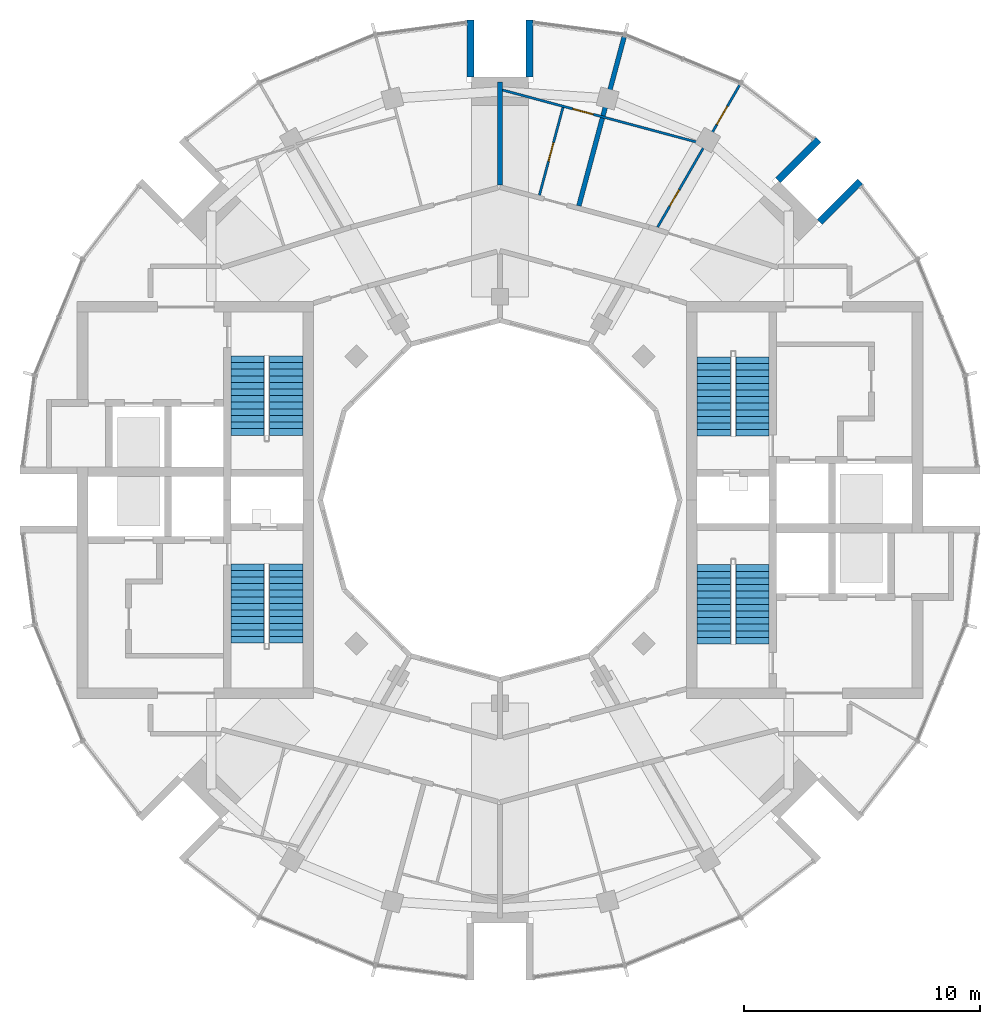
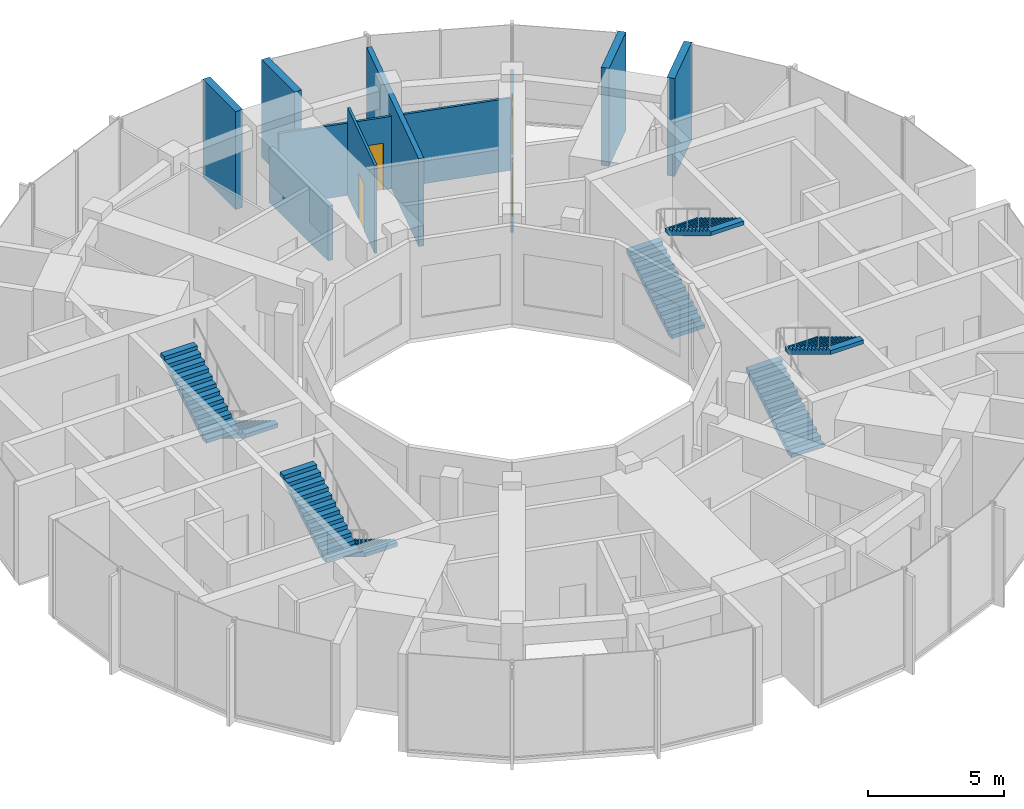
# One storey, part 11 of 13: 9 walls, 8 stair flights, 4 doors, 4 openings, 4 elements without a shape of their own.
"""IFC4 building model written with IfcOpenShell, lengths in metres."""

from ifc_helpers import new_model, si_unit, direction, frame, frame_2d, origin, place, context, subcontext, project, spatial, polyline, rectangle, outline, extrude, material, layer, layer_set, type_object, element, fill, aggregate, save


model = new_model("IFC4")

# Units and contexts
model_context = context("Model", 3, precision=1e-05, world=origin(), true_north=direction((0.0, 1.0)))
body_context = subcontext(model_context, "Body", "Model", "MODEL_VIEW")
ifc_project = project(units=[si_unit("LENGTHUNIT", "METRE"), si_unit("AREAUNIT", "SQUARE_METRE"), si_unit("VOLUMEUNIT", "CUBIC_METRE"), si_unit("PLANEANGLEUNIT", "RADIAN"), si_unit("MASSUNIT", "GRAM", prefix="KILO")], contexts=[model_context])

# Site, building, storey
site_placement = place(None, origin())
site = spatial("IfcSite", under=ifc_project, at=site_placement, CompositionType="ELEMENT")
building_placement = place(site_placement, origin())
building = spatial("IfcBuilding", under=site, at=building_placement, Name="Torre Brocal", CompositionType="ELEMENT")
storey_placement = place(building_placement, frame((0.0, 0.0, 323.699951171875)))
storey = spatial("IfcBuildingStorey", under=building, at=storey_placement, Name="L74", CompositionType="ELEMENT", Elevation=323.699951171875)

# Walls
ifc_material_1 = material(Name="Concrete C50", Category="concrete")
ifc_layer_1 = layer(ifc_material_1, 0.300048828125)
ifc_layer_set_1 = layer_set([ifc_layer_1], Name="Concrete C50")
wall_type_1 = type_object("IfcWallType", Name="NOTCH RETURN WALL 300 C50", PredefinedType="NOTDEFINED", material=ifc_layer_set_1)
for number, where, z_axis, x_axis, name in (
    (1, (93.541015625, 86.7734375, 0.0), (0.0, 0.0, 1.0), (0.707157312274, 0.707056246487, 0.0), "NOTCH RETURN WALL"),
    (2, (91.7734375, 88.541015625, 0.0), (0.0, 0.0, 1.0), (0.707056246487, 0.707157312274, 0.0), "NOTCH RETURN WALL"),
    (3, (81.25, 92.89990234375, 0.0), (0.0, 0.0, 1.0), (0.0, 1.0, 0.0), "NOTCH RETURN WALL"),
    (4, (78.75, 92.89990234375, 0.0), (0.0, 0.0, 1.0), (0.0, 1.0, 0.0), "NOTCH RETURN WALL"),
):
    element("IfcWall", number, at=place(storey_placement, frame(where, z_axis=z_axis, x_axis=x_axis)), inside=storey, type_object=wall_type_1, Name=name, PredefinedType="NOTDEFINED", context=body_context, shape_type="SweptSolid", body=[
        extrude(rectangle(XDim=2.415771484375, YDim=0.300048828125, at=frame_2d((1.2080078125, 0.0))), origin(), (0.0, 0.0, 1.0), 4.400146484375),
    ])

# Wall, opening, door
ifc_material_2 = material(Name="Gypsum board", Category="Gypsum")
ifc_layer_2 = layer(ifc_material_2, 0.10009765625)
ifc_layer_set_2 = layer_set([ifc_layer_2], Name="Gypsum board")
wall_type_2 = type_object("IfcWallType", Name="PARTITION 100", PredefinedType="PARTITIONING", material=ifc_layer_set_2)
wall_1_placement = place(storey_placement, frame((81.66796875, 87.902587890625, 0.0), z_axis=(0.0, 0.0, 1.0), x_axis=(0.259020336752, 0.965871867873, 0.0)))
wall_1 = element("IfcWall", 5, at=wall_1_placement, inside=storey, type_object=wall_type_2, Name="BATHROOM WALL", PredefinedType="PARTITIONING", context=body_context, shape_type="SweptSolid", body=[
    extrude(rectangle(XDim=3.849365234375, YDim=0.10009765625, at=frame_2d((1.9248046875, 0.0))), origin(), (0.0, 0.0, 1.0), 3.949951171875),
])
opening_1_placement = place(wall_1_placement, frame((1.499755859375, 0.0, 0.0)))
opening_1 = element("IfcOpeningElement", 6, at=opening_1_placement, cuts=wall_1, Name="Opening N05-D07", PredefinedType="OPENING", context=body_context, shape_type="SweptSolid", body=[
    extrude(rectangle(XDim=0.800048828125, YDim=2.10009765625, at=frame_2d((0.39990234375, 1.050048828125))), frame((0.0, 0.06005859375, 0.0), z_axis=(0.0, -1.0, 0.0), x_axis=(1.0, 0.0, 0.0)), (0.0, 0.0, 1.0), 0.1201171875),
])
ifc_material_3 = material(Name="Timber", Category="wood")
door_type_1 = type_object("IfcDoorType", Name="BATHROOM DOOR 800X2100", OperationType="SINGLE_SWING_LEFT", PredefinedType="DOOR", material=ifc_material_3)
door_1_placement = place(opening_1_placement, origin())
door_1 = element("IfcDoor", 7, at=door_1_placement, inside=storey, type_object=door_type_1, Name="N05-D07", OperationType="SINGLE_SWING_LEFT", OverallHeight=2.10009765625, OverallWidth=0.800048828125, PredefinedType="DOOR", context=body_context, shape_type="SweptSolid", body=[
    extrude(rectangle(XDim=0.800048828125, YDim=2.10009765625, at=frame_2d((0.39990234375, 1.050048828125))), frame((0.0, 0.02490234375, 0.0), z_axis=(0.0, -1.0, 0.0), x_axis=(1.0, 0.0, 0.0)), (0.0, 0.0, 1.0), 0.050048828125),
])
fill(opening_1, door_1)

ifc_material_4 = material(Name="Gypsum board", Category="Gypsum")
ifc_layer_3 = layer(ifc_material_4, 0.10009765625)
ifc_layer_set_3 = layer_set([ifc_layer_3], Name="Gypsum board")
wall_type_3 = type_object("IfcWallType", Name="PARTITION 100 UNDER BEAM 1150", PredefinedType="PARTITIONING", material=ifc_layer_set_3)
wall_2_placement = place(storey_placement, frame((80.106201171875, 92.358642578125, 0.0), z_axis=(0.0, 0.0, 1.0), x_axis=(0.965889909151, -0.258953052501, 0.0)))
wall_2 = element("IfcWall", 8, at=wall_2_placement, inside=storey, type_object=wall_type_3, Name="BATHROOM WALL", PredefinedType="PARTITIONING", context=body_context, shape_type="SweptSolid", body=[
    extrude(rectangle(XDim=8.830322265625, YDim=0.10009765625, at=frame_2d((4.4150390625, 0.0))), origin(), (0.0, 0.0, 1.0), 3.25),
])
opening_2_placement = place(wall_2_placement, frame((3.076416015625, 0.0, 0.0)))
opening_2 = element("IfcOpeningElement", 9, at=opening_2_placement, cuts=wall_2, Name="Opening N05-D05", PredefinedType="OPENING", context=body_context, shape_type="SweptSolid", body=[
    extrude(rectangle(XDim=0.89990234375, YDim=2.10009765625, at=frame_2d((0.449951171875, 1.050048828125))), frame((0.0, 0.06005859375, 0.0), z_axis=(0.0, -1.0, 0.0), x_axis=(1.0, 0.0, 0.0)), (0.0, 0.0, 1.0), 0.1201171875),
])
ifc_material_5 = material(Name="Timber", Category="wood")
door_type_2 = type_object("IfcDoorType", Name="ROOM DOOR 900X2100", OperationType="SINGLE_SWING_LEFT", PredefinedType="DOOR", material=ifc_material_5)
door_2_placement = place(opening_2_placement, frame((0.89990234375, 0.0, 0.0), z_axis=(0.0, 0.0, 1.0), x_axis=(-1.0, 0.0, 0.0)))
door_2 = element("IfcDoor", 10, at=door_2_placement, inside=storey, type_object=door_type_2, Name="N05-D05", OperationType="SINGLE_SWING_LEFT", OverallHeight=2.10009765625, OverallWidth=0.89990234375, PredefinedType="DOOR", context=body_context, shape_type="SweptSolid", body=[
    extrude(rectangle(XDim=0.89990234375, YDim=2.10009765625, at=frame_2d((0.449951171875, 1.050048828125))), frame((0.0, 0.02490234375, 0.0), z_axis=(0.0, -1.0, 0.0), x_axis=(1.0, 0.0, 0.0)), (0.0, 0.0, 1.0), 0.050048828125),
])
fill(opening_2, door_2)

# Wall, openings, doors
ifc_material_6 = material(Name="Gypsum board", Category="Gypsum")
ifc_layer_4 = layer(ifc_material_6, 0.10009765625)
ifc_layer_set_4 = layer_set([ifc_layer_4], Name="Gypsum board")
wall_type_4 = type_object("IfcWallType", Name="PARTITION 100 UNDER BEAM 1950", PredefinedType="PARTITIONING", material=ifc_layer_set_4)
wall_3_placement = place(storey_placement, frame((86.6728515625, 86.55322265625, 0.0), z_axis=(0.0, 0.0, 1.0), x_axis=(0.500103298341, 0.865965756245, 0.0)))
wall_3 = element("IfcWall", 11, at=wall_3_placement, inside=storey, type_object=wall_type_4, Name="BATHROOM WALL", PredefinedType="PARTITIONING", context=body_context, shape_type="SweptSolid", body=[
    extrude(rectangle(XDim=6.95458984375, YDim=0.10009765625, at=frame_2d((3.477294921875, 0.0))), origin(), (0.0, 0.0, 1.0), 2.449951171875),
])
opening_3_placement = place(wall_3_placement, frame((5.0146484375, 0.0, 0.0)))
opening_3 = element("IfcOpeningElement", 12, at=opening_3_placement, cuts=wall_3, Name="Opening N05-D02", PredefinedType="OPENING", context=body_context, shape_type="SweptSolid", body=[
    extrude(rectangle(XDim=0.89990234375, YDim=2.10009765625, at=frame_2d((0.449951171875, 1.050048828125))), frame((0.0, 0.06005859375, 0.0), z_axis=(0.0, -1.0, 0.0), x_axis=(1.0, 0.0, 0.0)), (0.0, 0.0, 1.0), 0.1201171875),
])
opening_4_placement = place(wall_3_placement, frame((1.027587890625, 0.0, 0.0)))
opening_4 = element("IfcOpeningElement", 13, at=opening_4_placement, cuts=wall_3, Name="Opening N05-D03", PredefinedType="OPENING", context=body_context, shape_type="SweptSolid", body=[
    extrude(rectangle(XDim=0.800048828125, YDim=2.10009765625, at=frame_2d((0.39990234375, 1.050048828125))), frame((0.0, 0.06005859375, 0.0), z_axis=(0.0, -1.0, 0.0), x_axis=(1.0, 0.0, 0.0)), (0.0, 0.0, 1.0), 0.1201171875),
])
door_3_placement = place(opening_4_placement, origin())
door_3 = element("IfcDoor", 14, at=door_3_placement, inside=storey, type_object=door_type_1, Name="N05-D03", OperationType="SINGLE_SWING_LEFT", OverallHeight=2.10009765625, OverallWidth=0.800048828125, PredefinedType="DOOR", context=body_context, shape_type="SweptSolid", body=[
    extrude(rectangle(XDim=0.800048828125, YDim=2.10009765625, at=frame_2d((0.39990234375, 1.050048828125))), frame((0.0, 0.02490234375, 0.0), z_axis=(0.0, -1.0, 0.0), x_axis=(1.0, 0.0, 0.0)), (0.0, 0.0, 1.0), 0.050048828125),
])
fill(opening_4, door_3)
door_4_placement = place(opening_3_placement, origin())
door_4 = element("IfcDoor", 15, at=door_4_placement, inside=storey, type_object=door_type_2, Name="N05-D02", OperationType="SINGLE_SWING_LEFT", OverallHeight=2.10009765625, OverallWidth=0.89990234375, PredefinedType="DOOR", context=body_context, shape_type="SweptSolid", body=[
    extrude(rectangle(XDim=0.89990234375, YDim=2.10009765625, at=frame_2d((0.449951171875, 1.050048828125))), frame((0.0, 0.02490234375, 0.0), z_axis=(0.0, -1.0, 0.0), x_axis=(1.0, 0.0, 0.0)), (0.0, 0.0, 1.0), 0.050048828125),
])
fill(opening_3, door_4)

# Walls
ifc_material_7 = material(Name="Gypsum board", Category="Gypsum")
ifc_layer_5 = layer(ifc_material_7, 0.199951171875)
ifc_layer_set_5 = layer_set([ifc_layer_5], Name="Gypsum board")
wall_type_5 = type_object("IfcWallType", Name="PARTITION 200 EI60", PredefinedType="PARTITIONING", material=ifc_layer_set_5)
wall_4_placement = place(storey_placement, frame((83.33935546875, 87.45458984375, 0.0), z_axis=(0.0, 0.0, 1.0), x_axis=(0.258957498737, 0.965888717114, 0.0)))
element("IfcWall", 16, at=wall_4_placement, inside=storey, type_object=wall_type_5, Name="BATHROOM WALL", PredefinedType="PARTITIONING", context=body_context, shape_type="SweptSolid", body=[
    extrude(rectangle(XDim=7.403564453125, YDim=0.199951171875, at=frame_2d((3.70166015625, 0.0))), origin(), (0.0, 0.0, 1.0), 3.949951171875),
])
ifc_material_8 = material(Name="Gypsum board", Category="Gypsum")
ifc_layer_6 = layer(ifc_material_8, 0.199951171875)
ifc_layer_set_6 = layer_set([ifc_layer_6], Name="Gypsum board")
wall_type_6 = type_object("IfcWallType", Name="PARTITION 200 EI60 UNDER BEAM 1950", PredefinedType="PARTITIONING", material=ifc_layer_set_6)
wall_5_placement = place(storey_placement, frame((80.0, 88.345947265625, 0.0), z_axis=(0.0, 0.0, 1.0), x_axis=(0.0, 1.0, 0.0)))
element("IfcWall", 17, at=wall_5_placement, inside=storey, type_object=wall_type_6, Name="BATHROOM WALL", PredefinedType="PARTITIONING", context=body_context, shape_type="SweptSolid", body=[
    extrude(rectangle(XDim=4.35400390625, YDim=0.199951171875, at=frame_2d((2.177001953125, 0.0))), origin(), (0.0, 0.0, 1.0), 2.449951171875),
])

# Stair, stair flights
ifc_material_9 = material(Name="Concrete C50", Category="concrete")
stair_type = type_object("IfcStairType", Name="EXIT STAIR", PredefinedType="HALF_TURN_STAIR", material=ifc_material_9)
stair_1_placement = place(storey_placement, origin())
stair_1 = element("IfcStair", 18, at=stair_1_placement, inside=storey, type_object=stair_type, Name="EXIT STAIR ST1", PredefinedType="HALF_TURN_STAIR")
ifc_material_10 = material(Name="Concrete C50", Category="concrete")
ifc_layer_7 = layer(ifc_material_10, 0.14990234375)
ifc_layer_set_7 = layer_set([ifc_layer_7], Name="Concrete C50")
stair_flight_type = type_object("IfcStairFlightType", Name="STAIR FLIGHT", PredefinedType="STRAIGHT", material=ifc_layer_set_7)
stair_flight_1_placement = place(storey_placement, frame((89.050048828125, 77.699951171875, 0.0), z_axis=(0.0, 0.0, 1.0), x_axis=(0.0, 1.0, 0.0)))
stair_flight_1 = element("IfcStairFlight", 19, at=stair_flight_1_placement, type_object=stair_flight_type, Name="ST1 flight 1", NumberOfRisers=13, NumberOfTreads=12, PredefinedType="STRAIGHT", RiserHeight=0.169230769, TreadLength=0.28, context=body_context, shape_type="SweptSolid", body=[
    extrude(outline(polyline([(0.0, 0.0), (0.0, 0.169189453125), (0.280029296875, 0.169189453125), (0.280029296875, 0.33837890625), (0.56005859375, 0.33837890625), (0.56005859375, 0.5078125), (0.840087890625, 0.5078125), (0.840087890625, 0.677001953125), (1.1201171875, 0.677001953125), (1.1201171875, 0.84619140625), (1.39990234375, 0.84619140625), (1.39990234375, 1.015380859375), (1.679931640625, 1.015380859375), (1.679931640625, 1.1845703125), (1.9599609375, 1.1845703125), (1.9599609375, 1.353759765625), (2.239990234375, 1.353759765625), (2.239990234375, 1.523193359375), (2.52001953125, 1.523193359375), (2.52001953125, 1.6923828125), (2.800048828125, 1.6923828125), (2.800048828125, 1.861572265625), (3.080078125, 1.861572265625), (3.080078125, 2.03076171875), (3.360107421875, 2.03076171875), (3.360107421875, 2.199951171875), (3.360107421875, 1.855712890625), (0.289794921875, 0.0), (0.0, 0.0)])), frame((0.0, 0.699951171875, 0.0), z_axis=(0.0, -1.0, 0.0), x_axis=(1.0, 0.0, 0.0)), (0.0, 0.0, 1.0), 1.39990234375),
])
stair_flight_2_placement = place(storey_placement, frame((90.699951171875, 81.06005859375, 2.199951171875), z_axis=(0.0, 0.0, 1.0), x_axis=(0.0, -1.0, 0.0)))
stair_flight_2 = element("IfcStairFlight", 20, at=stair_flight_2_placement, type_object=stair_flight_type, Name="ST1 flight 2", NumberOfRisers=13, NumberOfTreads=12, PredefinedType="STRAIGHT", RiserHeight=0.169230769, TreadLength=0.28, context=body_context, shape_type="SweptSolid", body=[
    extrude(outline(polyline([(0.0, 0.0), (0.0, 0.169189453125), (0.280029296875, 0.169189453125), (0.280029296875, 0.33837890625), (0.56005859375, 0.33837890625), (0.56005859375, 0.5078125), (0.840087890625, 0.5078125), (0.840087890625, 0.677001953125), (1.1201171875, 0.677001953125), (1.1201171875, 0.84619140625), (1.39990234375, 0.84619140625), (1.39990234375, 1.015380859375), (1.679931640625, 1.015380859375), (1.679931640625, 1.1845703125), (1.9599609375, 1.1845703125), (1.9599609375, 1.353759765625), (2.239990234375, 1.353759765625), (2.239990234375, 1.523193359375), (2.52001953125, 1.523193359375), (2.52001953125, 1.6923828125), (2.800048828125, 1.6923828125), (2.800048828125, 1.861572265625), (3.080078125, 1.861572265625), (3.080078125, 2.03076171875), (3.360107421875, 2.03076171875), (3.360107421875, 2.199951171875), (3.360107421875, 1.855712890625), (0.289794921875, 0.0), (0.0, 0.0)])), frame((0.0, 0.699951171875, 0.0), z_axis=(0.0, -1.0, 0.0), x_axis=(1.0, 0.0, 0.0)), (0.0, 0.0, 1.0), 1.39990234375),
])
aggregate(stair_1, [stair_flight_1, stair_flight_2])

stair_2_placement = place(storey_placement, origin())
stair_2 = element("IfcStair", 21, at=stair_2_placement, inside=storey, type_object=stair_type, Name="EXIT STAIR ST2", PredefinedType="HALF_TURN_STAIR")
stair_flight_3_placement = place(storey_placement, frame((89.050048828125, 68.89990234375, 0.0), z_axis=(0.0, 0.0, 1.0), x_axis=(0.0, 1.0, 0.0)))
stair_flight_3 = element("IfcStairFlight", 22, at=stair_flight_3_placement, type_object=stair_flight_type, Name="ST2 flight 1", NumberOfRisers=13, NumberOfTreads=12, PredefinedType="STRAIGHT", RiserHeight=0.169230769, TreadLength=0.28, context=body_context, shape_type="SweptSolid", body=[
    extrude(outline(polyline([(0.0, 0.0), (0.0, 0.169189453125), (0.280029296875, 0.169189453125), (0.280029296875, 0.33837890625), (0.56005859375, 0.33837890625), (0.56005859375, 0.5078125), (0.840087890625, 0.5078125), (0.840087890625, 0.677001953125), (1.1201171875, 0.677001953125), (1.1201171875, 0.84619140625), (1.39990234375, 0.84619140625), (1.39990234375, 1.015380859375), (1.679931640625, 1.015380859375), (1.679931640625, 1.1845703125), (1.9599609375, 1.1845703125), (1.9599609375, 1.353759765625), (2.239990234375, 1.353759765625), (2.239990234375, 1.523193359375), (2.52001953125, 1.523193359375), (2.52001953125, 1.6923828125), (2.800048828125, 1.6923828125), (2.800048828125, 1.861572265625), (3.080078125, 1.861572265625), (3.080078125, 2.03076171875), (3.360107421875, 2.03076171875), (3.360107421875, 2.199951171875), (3.360107421875, 1.855712890625), (0.289794921875, 0.0), (0.0, 0.0)])), frame((0.0, 0.699951171875, 0.0), z_axis=(0.0, -1.0, 0.0), x_axis=(1.0, 0.0, 0.0)), (0.0, 0.0, 1.0), 1.39990234375),
])
stair_flight_4_placement = place(storey_placement, frame((90.699951171875, 72.260009765625, 2.199951171875), z_axis=(0.0, 0.0, 1.0), x_axis=(0.0, -1.0, 0.0)))
stair_flight_4 = element("IfcStairFlight", 23, at=stair_flight_4_placement, type_object=stair_flight_type, Name="ST2 flight 2", NumberOfRisers=13, NumberOfTreads=12, PredefinedType="STRAIGHT", RiserHeight=0.169230769, TreadLength=0.28, context=body_context, shape_type="SweptSolid", body=[
    extrude(outline(polyline([(0.0, 0.0), (0.0, 0.169189453125), (0.280029296875, 0.169189453125), (0.280029296875, 0.33837890625), (0.56005859375, 0.33837890625), (0.56005859375, 0.5078125), (0.840087890625, 0.5078125), (0.840087890625, 0.677001953125), (1.1201171875, 0.677001953125), (1.1201171875, 0.84619140625), (1.39990234375, 0.84619140625), (1.39990234375, 1.015380859375), (1.679931640625, 1.015380859375), (1.679931640625, 1.1845703125), (1.9599609375, 1.1845703125), (1.9599609375, 1.353759765625), (2.239990234375, 1.353759765625), (2.239990234375, 1.523193359375), (2.52001953125, 1.523193359375), (2.52001953125, 1.6923828125), (2.800048828125, 1.6923828125), (2.800048828125, 1.861572265625), (3.080078125, 1.861572265625), (3.080078125, 2.03076171875), (3.360107421875, 2.03076171875), (3.360107421875, 2.199951171875), (3.360107421875, 1.855712890625), (0.289794921875, 0.0), (0.0, 0.0)])), frame((0.0, 0.699951171875, 0.0), z_axis=(0.0, -1.0, 0.0), x_axis=(1.0, 0.0, 0.0)), (0.0, 0.0, 1.0), 1.39990234375),
])
aggregate(stair_2, [stair_flight_3, stair_flight_4])

stair_3_placement = place(storey_placement, origin())
stair_3 = element("IfcStair", 24, at=stair_3_placement, inside=storey, type_object=stair_type, Name="EXIT STAIR ST3", PredefinedType="HALF_TURN_STAIR")
stair_flight_5_placement = place(storey_placement, frame((70.949951171875, 72.300048828125, 0.0), z_axis=(0.0, 0.0, 1.0), x_axis=(0.0, -1.0, 0.0)))
stair_flight_5 = element("IfcStairFlight", 25, at=stair_flight_5_placement, type_object=stair_flight_type, Name="ST3 flight 1", NumberOfRisers=13, NumberOfTreads=12, PredefinedType="STRAIGHT", RiserHeight=0.169230769, TreadLength=0.28, context=body_context, shape_type="SweptSolid", body=[
    extrude(outline(polyline([(0.0, 0.0), (0.0, 0.169189453125), (0.280029296875, 0.169189453125), (0.280029296875, 0.33837890625), (0.56005859375, 0.33837890625), (0.56005859375, 0.5078125), (0.840087890625, 0.5078125), (0.840087890625, 0.677001953125), (1.1201171875, 0.677001953125), (1.1201171875, 0.84619140625), (1.39990234375, 0.84619140625), (1.39990234375, 1.015380859375), (1.679931640625, 1.015380859375), (1.679931640625, 1.1845703125), (1.9599609375, 1.1845703125), (1.9599609375, 1.353759765625), (2.239990234375, 1.353759765625), (2.239990234375, 1.523193359375), (2.52001953125, 1.523193359375), (2.52001953125, 1.6923828125), (2.800048828125, 1.6923828125), (2.800048828125, 1.861572265625), (3.080078125, 1.861572265625), (3.080078125, 2.03076171875), (3.360107421875, 2.03076171875), (3.360107421875, 2.199951171875), (3.360107421875, 1.855712890625), (0.289794921875, 0.0), (0.0, 0.0)])), frame((0.0, 0.699951171875, 0.0), z_axis=(0.0, -1.0, 0.0), x_axis=(1.0, 0.0, 0.0)), (0.0, 0.0, 1.0), 1.39990234375),
])
stair_flight_6_placement = place(storey_placement, frame((69.300048828125, 68.93994140625, 2.199951171875), z_axis=(0.0, 0.0, 1.0), x_axis=(0.0, 1.0, 0.0)))
stair_flight_6 = element("IfcStairFlight", 26, at=stair_flight_6_placement, type_object=stair_flight_type, Name="ST3 flight 2", NumberOfRisers=13, NumberOfTreads=12, PredefinedType="STRAIGHT", RiserHeight=0.169230769, TreadLength=0.28, context=body_context, shape_type="SweptSolid", body=[
    extrude(outline(polyline([(0.0, 0.0), (0.0, 0.169189453125), (0.280029296875, 0.169189453125), (0.280029296875, 0.33837890625), (0.56005859375, 0.33837890625), (0.56005859375, 0.5078125), (0.840087890625, 0.5078125), (0.840087890625, 0.677001953125), (1.1201171875, 0.677001953125), (1.1201171875, 0.84619140625), (1.39990234375, 0.84619140625), (1.39990234375, 1.015380859375), (1.679931640625, 1.015380859375), (1.679931640625, 1.1845703125), (1.9599609375, 1.1845703125), (1.9599609375, 1.353759765625), (2.239990234375, 1.353759765625), (2.239990234375, 1.523193359375), (2.52001953125, 1.523193359375), (2.52001953125, 1.6923828125), (2.800048828125, 1.6923828125), (2.800048828125, 1.861572265625), (3.080078125, 1.861572265625), (3.080078125, 2.03076171875), (3.360107421875, 2.03076171875), (3.360107421875, 2.199951171875), (3.360107421875, 1.855712890625), (0.289794921875, 0.0), (0.0, 0.0)])), frame((0.0, 0.699951171875, 0.0), z_axis=(0.0, -1.0, 0.0), x_axis=(1.0, 0.0, 0.0)), (0.0, 0.0, 1.0), 1.39990234375),
])
aggregate(stair_3, [stair_flight_5, stair_flight_6])

stair_4_placement = place(storey_placement, origin())
stair_4 = element("IfcStair", 27, at=stair_4_placement, inside=storey, type_object=stair_type, Name="EXIT STAIR ST4", PredefinedType="HALF_TURN_STAIR")
stair_flight_7_placement = place(storey_placement, frame((70.949951171875, 81.10009765625, 0.0), z_axis=(0.0, 0.0, 1.0), x_axis=(0.0, -1.0, 0.0)))
stair_flight_7 = element("IfcStairFlight", 28, at=stair_flight_7_placement, type_object=stair_flight_type, Name="ST4 flight 1", NumberOfRisers=13, NumberOfTreads=12, PredefinedType="STRAIGHT", RiserHeight=0.169230769, TreadLength=0.28, context=body_context, shape_type="SweptSolid", body=[
    extrude(outline(polyline([(0.0, 0.0), (0.0, 0.169189453125), (0.280029296875, 0.169189453125), (0.280029296875, 0.33837890625), (0.56005859375, 0.33837890625), (0.56005859375, 0.5078125), (0.840087890625, 0.5078125), (0.840087890625, 0.677001953125), (1.1201171875, 0.677001953125), (1.1201171875, 0.84619140625), (1.39990234375, 0.84619140625), (1.39990234375, 1.015380859375), (1.679931640625, 1.015380859375), (1.679931640625, 1.1845703125), (1.9599609375, 1.1845703125), (1.9599609375, 1.353759765625), (2.239990234375, 1.353759765625), (2.239990234375, 1.523193359375), (2.52001953125, 1.523193359375), (2.52001953125, 1.6923828125), (2.800048828125, 1.6923828125), (2.800048828125, 1.861572265625), (3.080078125, 1.861572265625), (3.080078125, 2.03076171875), (3.360107421875, 2.03076171875), (3.360107421875, 2.199951171875), (3.360107421875, 1.855712890625), (0.289794921875, 0.0), (0.0, 0.0)])), frame((0.0, 0.699951171875, 0.0), z_axis=(0.0, -1.0, 0.0), x_axis=(1.0, 0.0, 0.0)), (0.0, 0.0, 1.0), 1.39990234375),
])
stair_flight_8_placement = place(storey_placement, frame((69.300048828125, 77.739990234375, 2.199951171875), z_axis=(0.0, 0.0, 1.0), x_axis=(0.0, 1.0, 0.0)))
stair_flight_8 = element("IfcStairFlight", 29, at=stair_flight_8_placement, type_object=stair_flight_type, Name="ST4 flight 2", NumberOfRisers=13, NumberOfTreads=12, PredefinedType="STRAIGHT", RiserHeight=0.169230769, TreadLength=0.28, context=body_context, shape_type="SweptSolid", body=[
    extrude(outline(polyline([(0.0, 0.0), (0.0, 0.169189453125), (0.280029296875, 0.169189453125), (0.280029296875, 0.33837890625), (0.56005859375, 0.33837890625), (0.56005859375, 0.5078125), (0.840087890625, 0.5078125), (0.840087890625, 0.677001953125), (1.1201171875, 0.677001953125), (1.1201171875, 0.84619140625), (1.39990234375, 0.84619140625), (1.39990234375, 1.015380859375), (1.679931640625, 1.015380859375), (1.679931640625, 1.1845703125), (1.9599609375, 1.1845703125), (1.9599609375, 1.353759765625), (2.239990234375, 1.353759765625), (2.239990234375, 1.523193359375), (2.52001953125, 1.523193359375), (2.52001953125, 1.6923828125), (2.800048828125, 1.6923828125), (2.800048828125, 1.861572265625), (3.080078125, 1.861572265625), (3.080078125, 2.03076171875), (3.360107421875, 2.03076171875), (3.360107421875, 2.199951171875), (3.360107421875, 1.855712890625), (0.289794921875, 0.0), (0.0, 0.0)])), frame((0.0, 0.699951171875, 0.0), z_axis=(0.0, -1.0, 0.0), x_axis=(1.0, 0.0, 0.0)), (0.0, 0.0, 1.0), 1.39990234375),
])
aggregate(stair_4, [stair_flight_7, stair_flight_8])

save(model, "model.ifc")
